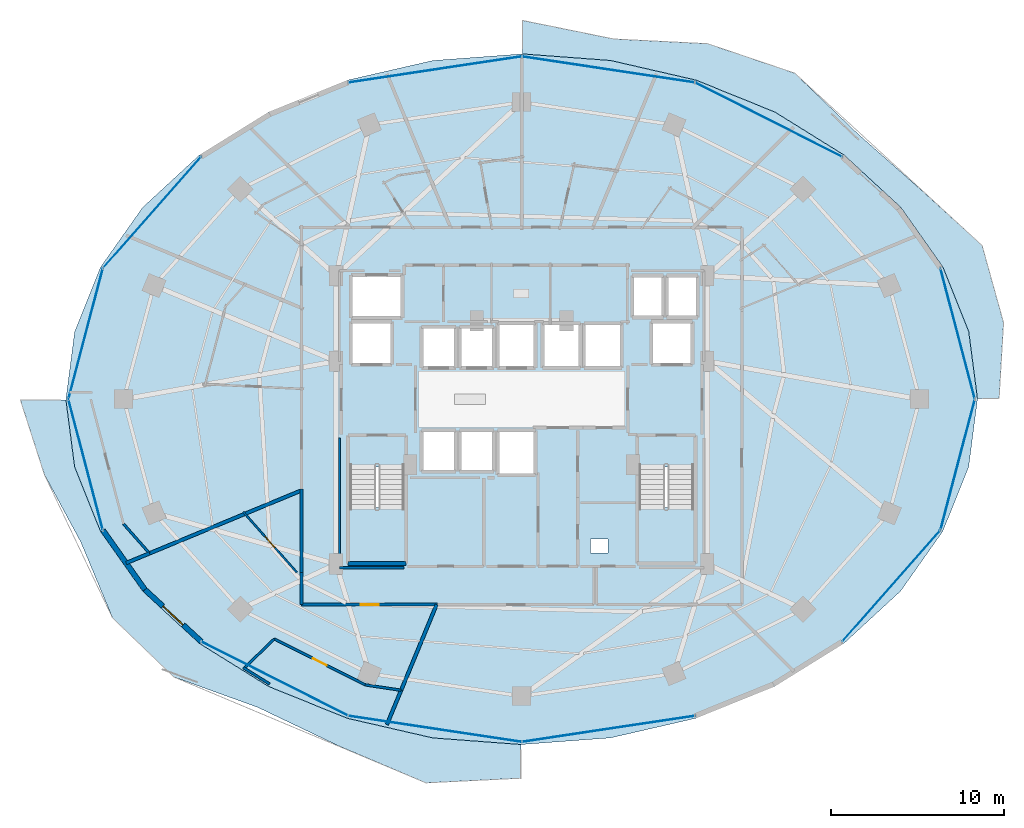
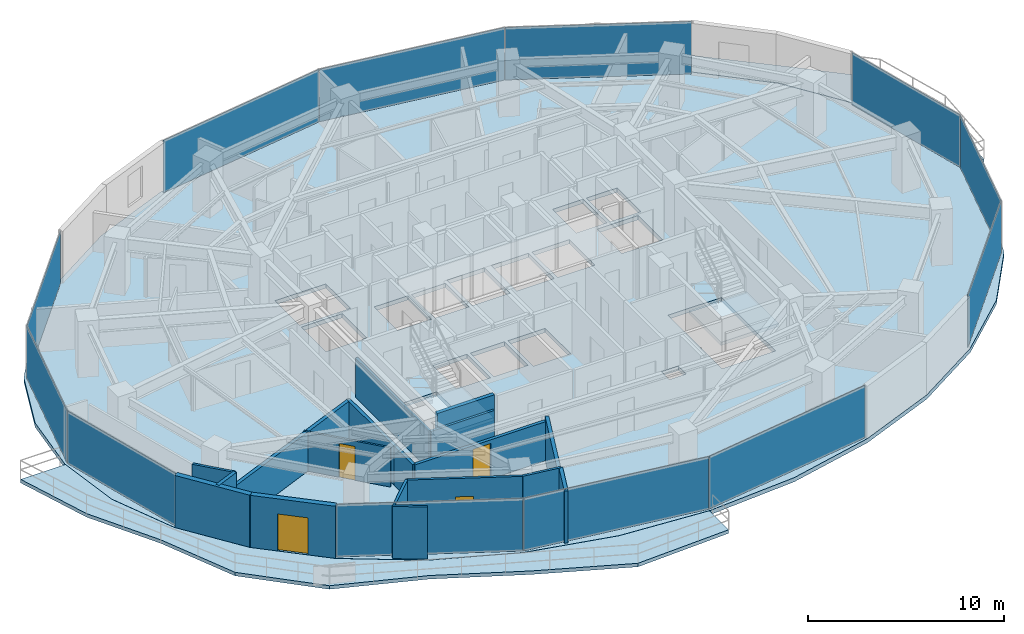
# One storey, part 22 of 30: 18 walls, 12 plates, 5 slabs, 4 doors, 4 openings, 6 elements without a shape of their own.
"""IFC4 building model written with IfcOpenShell, lengths in metres."""

from ifc_helpers import new_model, si_unit, direction, frame, frame_2d, origin, origin_2d, place, context, subcontext, project, spatial, polyline, rectangle, outline, extrude, material, layer, layer_set, type_object, element, fill, aggregate, save


model = new_model("IFC4")

# Units and contexts
model_context = context("Model", 3, precision=1e-05, world=origin(), true_north=direction((0.0, 1.0)))
body_context = subcontext(model_context, "Body", "Model", "MODEL_VIEW")
ifc_project = project(units=[si_unit("LENGTHUNIT", "METRE"), si_unit("AREAUNIT", "SQUARE_METRE"), si_unit("VOLUMEUNIT", "CUBIC_METRE"), si_unit("PLANEANGLEUNIT", "RADIAN"), si_unit("MASSUNIT", "GRAM", prefix="KILO")], contexts=[model_context])

# Site, building, storey
site_placement = place(None, origin())
site = spatial("IfcSite", under=ifc_project, at=site_placement, CompositionType="ELEMENT")
building_placement = place(site_placement, origin())
building = spatial("IfcBuilding", under=site, at=building_placement, Name="Vorneva Point Tower", CompositionType="ELEMENT")
storey_placement = place(building_placement, frame((0.0, 0.0, 106.800048828125)))
storey = spatial("IfcBuildingStorey", under=building, at=storey_placement, Name="L28", CompositionType="ELEMENT", Elevation=106.800048828125)

# Curtain wall, plates
ifc_material_1 = material(Name="Pale anodised aluminium", Category="aluminium")
curtain_wall_type = type_object("IfcCurtainWallType", Name="CW-HTL-SYS", PredefinedType="NOTDEFINED", material=ifc_material_1)
curtain_wall_1_placement = place(storey_placement, origin())
curtain_wall_1 = element("IfcCurtainWall", 1, at=curtain_wall_1_placement, inside=storey, type_object=curtain_wall_type, Name="L28 Unitised Curtain Wall CW-L28-R01", PredefinedType="NOTDEFINED")
ifc_material_2 = material(Name="Double low-e laminated glass IGU", Category="glass")
ifc_layer_1 = layer(ifc_material_2, 0.035888671875)
ifc_layer_set_1 = layer_set([ifc_layer_1], Name="Double low-e laminated glass IGU")
plate_type = type_object("IfcPlateType", Name="CW-PNL-VIS", PredefinedType="CURTAIN_PANEL", material=ifc_layer_set_1)
plate_1_placement = place(storey_placement, frame((59.40673828125, 15.183837890625, -0.02001953125), z_axis=(0.0, 0.0, 1.0), x_axis=(0.662149334693, 0.749371909379, 0.0)))
plate_1 = element("IfcPlate", 2, at=plate_1_placement, type_object=plate_type, Name="CW-L28-R01 Glazed Panel 01", PredefinedType="CURTAIN_PANEL", context=body_context, shape_type="SweptSolid", body=[
    extrude(rectangle(XDim=8.543701171875, YDim=0.035888671875, at=origin_2d()), origin(), (0.0, 0.0, 1.0), 3.280029296875),
])
plate_2_placement = place(storey_placement, frame((63.2509765625, 22.201904296875, -0.02001953125), z_axis=(0.0, 0.0, 1.0), x_axis=(0.254399404995, 0.967099241411, 0.0)))
plate_2 = element("IfcPlate", 3, at=plate_2_placement, type_object=plate_type, Name="CW-L28-R01 Glazed Panel 02", PredefinedType="CURTAIN_PANEL", context=body_context, shape_type="SweptSolid", body=[
    extrude(rectangle(XDim=7.8046875, YDim=0.035888671875, at=origin_2d()), origin(), (0.0, 0.0, 1.0), 3.280029296875),
])
plate_3_placement = place(storey_placement, frame((63.2509765625, 29.798095703125, -0.02001953125), z_axis=(0.0, 0.0, 1.0), x_axis=(-0.254399404995, 0.967099241411, 0.0)))
plate_3 = element("IfcPlate", 4, at=plate_3_placement, type_object=plate_type, Name="CW-L28-R01 Glazed Panel 03", PredefinedType="CURTAIN_PANEL", context=body_context, shape_type="SweptSolid", body=[
    extrude(rectangle(XDim=7.8046875, YDim=0.035888671875, at=origin_2d()), origin(), (0.0, 0.0, 1.0), 3.280029296875),
])
aggregate(curtain_wall_1, [plate_1, plate_2, plate_3])

curtain_wall_2_placement = place(storey_placement, origin())
curtain_wall_2 = element("IfcCurtainWall", 5, at=curtain_wall_2_placement, inside=storey, type_object=curtain_wall_type, Name="L28 Unitised Curtain Wall CW-L28-R02", PredefinedType="NOTDEFINED")
plate_4_placement = place(storey_placement, frame((52.303466796875, 42.1875, -0.02001953125), z_axis=(0.0, 0.0, 1.0), x_axis=(-0.892538597772, 0.450971009585, 0.0)))
plate_4 = element("IfcPlate", 6, at=plate_4_placement, type_object=plate_type, Name="CW-L28-R02 Glazed Panel 01", PredefinedType="CURTAIN_PANEL", context=body_context, shape_type="SweptSolid", body=[
    extrude(rectangle(XDim=9.491455078125, YDim=0.035888671875, at=origin_2d()), origin(), (0.0, 0.0, 1.0), 3.280029296875),
])
plate_5_placement = place(storey_placement, frame((43.022705078125, 45.094482421875, -0.02001953125), z_axis=(0.0, 0.0, 1.0), x_axis=(-0.988876117041, 0.148741470836, 0.0)))
plate_5 = element("IfcPlate", 7, at=plate_5_placement, type_object=plate_type, Name="CW-L28-R02 Glazed Panel 02", PredefinedType="CURTAIN_PANEL", context=body_context, shape_type="SweptSolid", body=[
    extrude(rectangle(XDim=10.1083984375, YDim=0.035888671875, at=origin_2d()), origin(), (0.0, 0.0, 1.0), 3.280029296875),
])
plate_6_placement = place(storey_placement, frame((32.977294921875, 45.094482421875, -0.02001953125), z_axis=(0.0, 0.0, 1.0), x_axis=(-0.988876117041, -0.148741470836, 0.0)))
plate_6 = element("IfcPlate", 8, at=plate_6_placement, type_object=plate_type, Name="CW-L28-R02 Glazed Panel 03", PredefinedType="CURTAIN_PANEL", context=body_context, shape_type="SweptSolid", body=[
    extrude(rectangle(XDim=10.1083984375, YDim=0.035888671875, at=origin_2d()), origin(), (0.0, 0.0, 1.0), 3.280029296875),
])
aggregate(curtain_wall_2, [plate_4, plate_5, plate_6])

curtain_wall_3_placement = place(storey_placement, origin())
curtain_wall_3 = element("IfcCurtainWall", 9, at=curtain_wall_3_placement, inside=storey, type_object=curtain_wall_type, Name="L28 Unitised Curtain Wall CW-L28-R03", PredefinedType="NOTDEFINED")
plate_7_placement = place(storey_placement, frame((16.59326171875, 36.816162109375, -0.02001953125), z_axis=(0.0, 0.0, 1.0), x_axis=(-0.662149334693, -0.749371909379, 0.0)))
plate_7 = element("IfcPlate", 10, at=plate_7_placement, type_object=plate_type, Name="CW-L28-R03 Glazed Panel 01", PredefinedType="CURTAIN_PANEL", context=body_context, shape_type="SweptSolid", body=[
    extrude(rectangle(XDim=8.543701171875, YDim=0.035888671875, at=origin_2d()), origin(), (0.0, 0.0, 1.0), 3.280029296875),
])
plate_8_placement = place(storey_placement, frame((12.7490234375, 29.798095703125, -0.02001953125), z_axis=(0.0, 0.0, 1.0), x_axis=(-0.254399404995, -0.967099241411, 0.0)))
plate_8 = element("IfcPlate", 11, at=plate_8_placement, type_object=plate_type, Name="CW-L28-R03 Glazed Panel 02", PredefinedType="CURTAIN_PANEL", context=body_context, shape_type="SweptSolid", body=[
    extrude(rectangle(XDim=7.8046875, YDim=0.035888671875, at=origin_2d()), origin(), (0.0, 0.0, 1.0), 3.280029296875),
])
plate_9_placement = place(storey_placement, frame((12.7490234375, 22.201904296875, -0.02001953125), z_axis=(0.0, 0.0, 1.0), x_axis=(0.254399404995, -0.967099241411, 0.0)))
plate_9 = element("IfcPlate", 12, at=plate_9_placement, type_object=plate_type, Name="CW-L28-R03 Glazed Panel 03", PredefinedType="CURTAIN_PANEL", context=body_context, shape_type="SweptSolid", body=[
    extrude(rectangle(XDim=7.8046875, YDim=0.035888671875, at=origin_2d()), origin(), (0.0, 0.0, 1.0), 3.280029296875),
])
aggregate(curtain_wall_3, [plate_7, plate_8, plate_9])

curtain_wall_4_placement = place(storey_placement, origin())
curtain_wall_4 = element("IfcCurtainWall", 13, at=curtain_wall_4_placement, inside=storey, type_object=curtain_wall_type, Name="L28 Unitised Curtain Wall CW-L28-R04", PredefinedType="NOTDEFINED")
plate_10_placement = place(storey_placement, frame((23.696533203125, 9.8125, -0.02001953125), z_axis=(0.0, 0.0, 1.0), x_axis=(0.892538597772, -0.450971009585, 0.0)))
plate_10 = element("IfcPlate", 14, at=plate_10_placement, type_object=plate_type, Name="CW-L28-R04 Glazed Panel 01", PredefinedType="CURTAIN_PANEL", context=body_context, shape_type="SweptSolid", body=[
    extrude(rectangle(XDim=9.491455078125, YDim=0.035888671875, at=origin_2d()), origin(), (0.0, 0.0, 1.0), 3.280029296875),
])
plate_11_placement = place(storey_placement, frame((32.977294921875, 6.905517578125, -0.02001953125), z_axis=(0.0, 0.0, 1.0), x_axis=(0.988876117041, -0.148741470836, 0.0)))
plate_11 = element("IfcPlate", 15, at=plate_11_placement, type_object=plate_type, Name="CW-L28-R04 Glazed Panel 02", PredefinedType="CURTAIN_PANEL", context=body_context, shape_type="SweptSolid", body=[
    extrude(rectangle(XDim=10.1083984375, YDim=0.035888671875, at=origin_2d()), origin(), (0.0, 0.0, 1.0), 3.280029296875),
])
plate_12_placement = place(storey_placement, frame((43.022705078125, 6.905517578125, -0.02001953125), z_axis=(0.0, 0.0, 1.0), x_axis=(0.988876117041, 0.148741470836, 0.0)))
plate_12 = element("IfcPlate", 16, at=plate_12_placement, type_object=plate_type, Name="CW-L28-R04 Glazed Panel 03", PredefinedType="CURTAIN_PANEL", context=body_context, shape_type="SweptSolid", body=[
    extrude(rectangle(XDim=10.1083984375, YDim=0.035888671875, at=origin_2d()), origin(), (0.0, 0.0, 1.0), 3.280029296875),
])
aggregate(curtain_wall_4, [plate_10, plate_11, plate_12])

# Slabs
ifc_material_3 = material(Name="Concrete B50 (C40/50)", Category="concrete")
ifc_layer_2 = layer(ifc_material_3, 0.219970703125)
ifc_layer_set_2 = layer_set([ifc_layer_2], Name="Concrete B50 (C40/50)")
slab_type_1 = type_object("IfcSlabType", Name="SLB-BAL-220", PredefinedType="FLOOR", material=ifc_layer_set_2)
slab_1_placement = place(storey_placement, frame((0.0, 0.0, -0.219970703125)))
element("IfcSlab", 17, at=slab_1_placement, inside=storey, type_object=slab_type_1, Name="L28 Cantilevered Wave Balcony NE", PredefinedType="FLOOR", context=body_context, shape_type="SweptSolid", body=[
    extrude(outline(polyline([(38.050048828125, 47.939697265625), (38.050048828125, 46.000244140625), (43.150634765625, 45.61962890625), (43.15087890625, 45.61962890625), (43.1513671875, 45.61962890625), (48.103759765625, 44.4814453125), (48.10400390625, 44.4814453125), (48.104248046875, 44.481201171875), (52.668701171875, 42.633056640625), (52.6689453125, 42.633056640625), (52.669189453125, 42.6328125), (56.669677734375, 40.1455078125), (56.669921875, 40.145263671875), (56.67041015625, 40.14501953125), (59.95361328125, 37.1142578125), (59.953857421875, 37.114013671875), (59.9541015625, 37.11376953125), (62.393798828125, 33.656005859375), (62.393798828125, 33.655517578125), (62.39404296875, 33.6552734375), (63.896484375, 29.9033203125), (63.896484375, 29.903076171875), (63.896484375, 29.902587890625), (63.896728515625, 29.90234375), (64.3974609375, 26.050048828125), (65.65283203125, 26.050048828125), (65.910888671875, 30.431640625), (64.668701171875, 34.8994140625), (61.12158203125, 38.14404296875), (57.546142578125, 41.302001953125), (53.810546875, 44.888427734375), (48.766845703125, 46.59375), (43.338623046875, 46.864990234375), (38.050048828125, 47.939697265625)])), origin(), (0.0, 0.0, 1.0), 0.219970703125),
])
slab_2_placement = place(storey_placement, frame((0.0, 0.0, -0.219970703125)))
element("IfcSlab", 18, at=slab_2_placement, inside=storey, type_object=slab_type_1, Name="L28 Cantilevered Wave Balcony SW", PredefinedType="FLOOR", context=body_context, shape_type="SweptSolid", body=[
    extrude(outline(polyline([(37.949951171875, 4.047607421875), (37.949951171875, 5.999755859375), (32.849365234375, 6.38037109375), (32.84912109375, 6.38037109375), (32.8486328125, 6.38037109375), (27.896240234375, 7.5185546875), (27.89599609375, 7.5185546875), (27.895751953125, 7.518798828125), (23.331298828125, 9.366943359375), (23.3310546875, 9.366943359375), (23.330810546875, 9.3671875), (19.330322265625, 11.8544921875), (19.330078125, 11.854736328125), (19.32958984375, 11.85498046875), (16.04638671875, 14.8857421875), (16.046142578125, 14.885986328125), (16.0458984375, 14.88623046875), (13.606201171875, 18.343994140625), (13.606201171875, 18.344482421875), (13.60595703125, 18.3447265625), (12.103515625, 22.0966796875), (12.103515625, 22.096923828125), (12.103515625, 22.097412109375), (12.103271484375, 22.09765625), (11.6025390625, 25.949951171875), (8.966064453125, 25.949951171875), (10.353271484375, 21.6376953125), (12.466064453125, 17.72119140625), (14.295166015625, 13.341552734375), (17.85595703125, 9.908935546875), (22.715087890625, 8.150146484375), (27.3935546875, 5.91748046875), (32.456787109375, 3.777099609375), (37.949951171875, 4.047607421875)])), origin(), (0.0, 0.0, 1.0), 0.219970703125),
])

# Stair, slab
stair_type = type_object("IfcStairType", Name="ST-DOG-1500", PredefinedType="HALF_TURN_STAIR", material=ifc_material_3)
stair_1_placement = place(storey_placement, origin())
stair_1 = element("IfcStair", 19, at=stair_1_placement, inside=storey, type_object=stair_type, Name="L28 ST1", PredefinedType="HALF_TURN_STAIR")
ifc_layer_3 = layer(ifc_material_3, 0.199951171875)
ifc_layer_set_3 = layer_set([ifc_layer_3], Name="Concrete B50 (C40/50)")
slab_type_2 = type_object("IfcSlabType", Name="SLB-LND-200", PredefinedType="LANDING", material=ifc_layer_set_3)
slab_3_placement = place(storey_placement, frame((0.0, 0.0, 1.550048828125)))
slab_3 = element("IfcSlab", 20, at=slab_3_placement, type_object=slab_type_2, Name="ST1 landing 1", PredefinedType="LANDING", context=body_context, shape_type="SweptSolid", body=[
    extrude(outline(polyline([(27.929931640625, 16.47998046875), (31.320068359375, 16.47998046875), (31.320068359375, 19.72998046875), (27.929931640625, 19.72998046875), (27.929931640625, 16.47998046875)])), origin(), (0.0, 0.0, 1.0), 0.199951171875),
])
aggregate(stair_1, [slab_3])

stair_2_placement = place(storey_placement, origin())
stair_2 = element("IfcStair", 21, at=stair_2_placement, inside=storey, type_object=stair_type, Name="L28 ST2", PredefinedType="HALF_TURN_STAIR")
slab_4_placement = place(storey_placement, frame((0.0, 0.0, 1.550048828125)))
slab_4 = element("IfcSlab", 22, at=slab_4_placement, type_object=slab_type_2, Name="ST2 landing 1", PredefinedType="LANDING", context=body_context, shape_type="SweptSolid", body=[
    extrude(outline(polyline([(44.679931640625, 16.47998046875), (48.070068359375, 16.47998046875), (48.070068359375, 19.72998046875), (44.679931640625, 19.72998046875), (44.679931640625, 16.47998046875)])), origin(), (0.0, 0.0, 1.0), 0.199951171875),
])
aggregate(stair_2, [slab_4])

# Slab
ifc_layer_4 = layer(ifc_material_3, 0.260009765625)
ifc_layer_set_4 = layer_set([ifc_layer_4], Name="Concrete B50 (C40/50)")
slab_type_3 = type_object("IfcSlabType", Name="SLB-TYP-260", PredefinedType="FLOOR", material=ifc_layer_set_4)
slab_5_placement = place(storey_placement, frame((0.0, 0.0, -0.260009765625)))
element("IfcSlab", 23, at=slab_5_placement, inside=storey, type_object=slab_type_3, Name="L28 Structural Floor Plate", PredefinedType="FLOOR", context=body_context, shape_type="SweptSolid", body=[
    extrude(outline(polyline([(64.39990234375, 26.0), (63.892578125, 29.90185546875), (62.390380859375, 33.65380859375), (59.95068359375, 37.111328125), (56.66748046875, 40.14208984375), (52.6669921875, 42.62939453125), (48.102783203125, 44.4775390625), (43.150390625, 45.61572265625), (38.0, 46.0), (32.849609375, 45.61572265625), (27.897216796875, 44.4775390625), (23.3330078125, 42.62939453125), (19.33251953125, 40.14208984375), (16.04931640625, 37.111328125), (13.609619140625, 33.65380859375), (12.107421875, 29.90185546875), (11.60009765625, 26.0), (12.107421875, 22.09814453125), (13.609619140625, 18.34619140625), (16.04931640625, 14.888671875), (19.33251953125, 11.85791015625), (23.3330078125, 9.37060546875), (27.897216796875, 7.5224609375), (32.849609375, 6.38427734375), (38.0, 6.0), (43.150390625, 6.38427734375), (48.102783203125, 7.5224609375), (52.6669921875, 9.37060546875), (56.66748046875, 11.85791015625), (59.95068359375, 14.888671875), (62.390380859375, 18.34619140625), (63.892578125, 22.09814453125), (64.39990234375, 26.0)]), holes=[polyline([(32.199951171875, 27.800048828125), (34.199951171875, 27.800048828125), (34.199951171875, 30.199951171875), (32.199951171875, 30.199951171875), (32.199951171875, 27.800048828125)]), polyline([(34.39990234375, 27.800048828125), (36.39990234375, 27.800048828125), (36.39990234375, 30.199951171875), (34.39990234375, 30.199951171875), (34.39990234375, 27.800048828125)]), polyline([(36.60009765625, 27.800048828125), (38.800048828125, 27.800048828125), (38.800048828125, 30.39990234375), (36.60009765625, 30.39990234375), (36.60009765625, 27.800048828125)]), polyline([(32.199951171875, 21.800048828125), (34.199951171875, 21.800048828125), (34.199951171875, 24.199951171875), (32.199951171875, 24.199951171875), (32.199951171875, 21.800048828125)]), polyline([(34.39990234375, 21.800048828125), (36.39990234375, 21.800048828125), (36.39990234375, 24.199951171875), (34.39990234375, 24.199951171875), (34.39990234375, 21.800048828125)]), polyline([(36.60009765625, 21.60009765625), (38.800048828125, 21.60009765625), (38.800048828125, 24.199951171875), (36.60009765625, 24.199951171875), (36.60009765625, 21.60009765625)]), polyline([(39.199951171875, 27.800048828125), (41.39990234375, 27.800048828125), (41.39990234375, 30.39990234375), (39.199951171875, 30.39990234375), (39.199951171875, 27.800048828125)]), polyline([(41.60009765625, 27.800048828125), (43.800048828125, 27.800048828125), (43.800048828125, 30.39990234375), (41.60009765625, 30.39990234375), (41.60009765625, 27.800048828125)]), polyline([(44.39990234375, 30.739990234375), (46.199951171875, 30.739990234375), (46.199951171875, 33.159912109375), (44.39990234375, 33.159912109375), (44.39990234375, 30.739990234375)]), polyline([(46.39990234375, 30.739990234375), (48.199951171875, 30.739990234375), (48.199951171875, 33.159912109375), (46.39990234375, 33.159912109375), (46.39990234375, 30.739990234375)]), polyline([(28.10009765625, 28.0), (30.5, 28.0), (30.5, 30.5), (28.10009765625, 30.5), (28.10009765625, 28.0)]), polyline([(45.5, 28.0), (47.89990234375, 28.0), (47.89990234375, 30.5), (45.5, 30.5), (45.5, 28.0)]), polyline([(28.10009765625, 30.699951171875), (31.10009765625, 30.699951171875), (31.10009765625, 33.199951171875), (28.10009765625, 33.199951171875), (28.10009765625, 30.699951171875)]), polyline([(28.050048828125, 16.60009765625), (31.199951171875, 16.60009765625), (31.199951171875, 22.080078125), (28.050048828125, 22.080078125), (28.050048828125, 16.60009765625)]), polyline([(44.800048828125, 16.60009765625), (47.949951171875, 16.60009765625), (47.949951171875, 22.080078125), (44.800048828125, 22.080078125), (44.800048828125, 16.60009765625)]), polyline([(42.0, 17.10009765625), (43.0, 17.10009765625), (43.0, 17.89990234375), (42.0, 17.89990234375), (42.0, 17.10009765625)])]), origin(), (0.0, 0.0, 1.0), 0.260009765625),
])

# Wall
ifc_material_4 = material(Name="Precast concrete B50 (C40/50)", Category="concrete")
ifc_layer_5 = layer(ifc_material_4, 0.300048828125)
ifc_layer_set_5 = layer_set([ifc_layer_5], Name="Precast concrete B50 (C40/50)")
wall_type_1 = type_object("IfcWallType", Name="WL-EXT-300", PredefinedType="STANDARD", material=ifc_layer_set_5)
wall_1_placement = place(storey_placement, frame((13.748291015625, 18.40380859375, 0.0), z_axis=(0.0, 0.0, 1.0), x_axis=(0.57716435238, -0.81662801222, 0.0)))
element("IfcWall", 24, at=wall_1_placement, inside=storey, type_object=wall_type_1, Name="L28 Pale-Metal Facade Spandrel Wall 10.1", PredefinedType="STANDARD", context=body_context, shape_type="SweptSolid", body=[
    extrude(rectangle(XDim=4.202392578125, YDim=0.300048828125, at=frame_2d((2.10107421875, 0.0))), origin(), (0.0, 0.0, 1.0), 3.239990234375),
])

# Wall, opening, door
wall_2_placement = place(storey_placement, frame((16.173828125, 14.971923828125, 0.0), z_axis=(0.0, 0.0, 1.0), x_axis=(0.735416718093, -0.677615119924, 0.0)))
wall_2 = element("IfcWall", 25, at=wall_2_placement, inside=storey, type_object=wall_type_1, Name="L28 Pale-Metal Facade Spandrel Wall 10.2", PredefinedType="STANDARD", context=body_context, shape_type="SweptSolid", body=[
    extrude(rectangle(XDim=4.439208984375, YDim=0.300048828125, at=frame_2d((2.2197265625, 0.0))), origin(), (0.0, 0.0, 1.0), 3.239990234375),
])
opening_1_placement = place(wall_2_placement, frame((1.41943359375, 0.0, 0.0)))
opening_1 = element("IfcOpeningElement", 26, at=opening_1_placement, cuts=wall_2, Name="Opening BD-01", PredefinedType="OPENING", context=body_context, shape_type="SweptSolid", body=[
    extrude(rectangle(XDim=1.60009765625, YDim=2.300048828125, at=frame_2d((0.800048828125, 1.14990234375))), frame((0.0, 0.1650390625, 0.0), z_axis=(0.0, -1.0, 0.0), x_axis=(1.0, 0.0, 0.0)), (0.0, 0.0, 1.0), 0.329833984375),
])
door_type_1 = type_object("IfcDoorType", Name="DR-BAL-1600", OperationType="SLIDING_TO_LEFT", PredefinedType="DOOR", material=ifc_material_1)
door_1_placement = place(opening_1_placement, origin())
door_1 = element("IfcDoor", 27, at=door_1_placement, inside=storey, type_object=door_type_1, Name="L28 Balcony Terrace Access Door 10", OperationType="SLIDING_TO_LEFT", OverallHeight=2.300048828125, OverallWidth=1.60009765625, PredefinedType="DOOR", context=body_context, shape_type="SweptSolid", body=[
    extrude(rectangle(XDim=1.60009765625, YDim=2.300048828125, at=frame_2d((0.800048828125, 1.14990234375))), frame((0.0, 0.02490234375, 0.0), z_axis=(0.0, -1.0, 0.0), x_axis=(1.0, 0.0, 0.0)), (0.0, 0.0, 1.0), 0.050048828125),
])
fill(opening_1, door_1)

ifc_material_5 = material(Name="Fire-rated acoustic gypsum stud partition", Category="gypsum")
ifc_layer_6 = layer(ifc_material_5, 0.110107421875)
ifc_layer_set_6 = layer_set([ifc_layer_6], Name="Fire-rated acoustic gypsum stud partition")
wall_type_2 = type_object("IfcWallType", Name="WL-PART-110", PredefinedType="PARTITIONING", material=ifc_layer_set_6)
wall_3_placement = place(storey_placement, frame((24.96875, 15.97021484375, 0.0), z_axis=(0.0, 0.0, 1.0), x_axis=(-0.662106207726, 0.749410014405, 0.0)))
wall_3 = element("IfcWall", 28, at=wall_3_placement, inside=storey, type_object=wall_type_2, Name="L28 Interior Partition 085", PredefinedType="PARTITIONING", context=body_context, shape_type="SweptSolid", body=[
    extrude(rectangle(XDim=4.66455078125, YDim=0.110107421875, at=frame_2d((2.332275390625, 0.0))), origin(), (0.0, 0.0, 1.0), 2.431884765625),
])
opening_2_placement = place(wall_3_placement, frame((1.9072265625, 0.0, 0.0)))
opening_2 = element("IfcOpeningElement", 29, at=opening_2_placement, cuts=wall_3, Name="Opening ID-02", PredefinedType="OPENING", context=body_context, shape_type="SweptSolid", body=[
    extrude(rectangle(XDim=0.85009765625, YDim=2.10009765625, at=frame_2d((0.425048828125, 1.050048828125))), frame((0.0, 0.06982421875, 0.0), z_axis=(0.0, -1.0, 0.0), x_axis=(1.0, 0.0, 0.0)), (0.0, 0.0, 1.0), 0.139892578125),
])
ifc_material_6 = material(Name="Engineered oak fire-rated door leaf", Category="wood")
door_type_2 = type_object("IfcDoorType", Name="DR-BATH-850", OperationType="NOTDEFINED", PredefinedType="DOOR", material=ifc_material_6)
door_2_placement = place(opening_2_placement, origin())
door_2 = element("IfcDoor", 30, at=door_2_placement, inside=storey, type_object=door_type_2, Name="L28 Door Corner Suite L28-08 / En-Suite Bathroom L28-08", OperationType="SINGLE_SWING_RIGHT", OverallHeight=2.10009765625, OverallWidth=0.85009765625, PredefinedType="DOOR", context=body_context, shape_type="SweptSolid", body=[
    extrude(rectangle(XDim=0.85009765625, YDim=2.10009765625, at=frame_2d((0.425048828125, 1.050048828125))), frame((0.0, 0.02490234375, 0.0), z_axis=(0.0, -1.0, 0.0), x_axis=(1.0, 0.0, 0.0)), (0.0, 0.0, 1.0), 0.050048828125),
])
fill(opening_2, door_2)

# Walls
ifc_layer_7 = layer(ifc_material_5, 0.139892578125)
ifc_layer_set_7 = layer_set([ifc_layer_7], Name="Fire-rated acoustic gypsum stud partition")
wall_type_3 = type_object("IfcWallType", Name="WL-PART-140", PredefinedType="PARTITIONING", material=ifc_layer_set_7)
wall_4_placement = place(storey_placement, frame((14.93994140625, 18.77587890625, 0.0), z_axis=(0.0, 0.0, 1.0), x_axis=(0.662288913482, -0.749248553605, 0.0)))
element("IfcWall", 31, at=wall_4_placement, inside=storey, type_object=wall_type_3, Name="L28 Interior Partition 082", PredefinedType="PARTITIONING", context=body_context, shape_type="SweptSolid", body=[
    extrude(rectangle(XDim=2.274169921875, YDim=0.139892578125, at=frame_2d((1.13720703125, 0.0))), origin(), (0.0, 0.0, 1.0), 3.239990234375),
])
wall_5_placement = place(storey_placement, frame((21.8740234375, 10.455078125, 0.0), z_axis=(0.0, 0.0, 1.0), x_axis=(0.849018711668, -0.528362779951, 0.0)))
element("IfcWall", 32, at=wall_5_placement, inside=storey, type_object=wall_type_3, Name="L28 Interior Partition 086", PredefinedType="PARTITIONING", context=body_context, shape_type="SweptSolid", body=[
    extrude(rectangle(XDim=1.79833984375, YDim=0.139892578125, at=frame_2d((0.899169921875, 0.0))), origin(), (0.0, 0.0, 1.0), 3.239990234375),
])
wall_6_placement = place(storey_placement, frame((21.925048828125, 10.423095703125, 0.0), z_axis=(0.0, 0.0, 1.0), x_axis=(0.718353026202, 0.695678754704, 0.0)))
element("IfcWall", 33, at=wall_6_placement, inside=storey, type_object=wall_type_3, Name="L28 Interior Partition 087", PredefinedType="PARTITIONING", context=body_context, shape_type="SweptSolid", body=[
    extrude(rectangle(XDim=2.433349609375, YDim=0.139892578125, at=frame_2d((1.216796875, 0.0))), origin(), (0.0, 0.0, 1.0), 3.239990234375),
])

# Wall, opening, door
wall_7_placement = place(storey_placement, frame((23.673095703125, 12.115966796875, 0.0), z_axis=(0.0, 0.0, 1.0), x_axis=(0.892490283816, -0.451066617357, 0.0)))
wall_7 = element("IfcWall", 34, at=wall_7_placement, inside=storey, type_object=wall_type_3, Name="L28 Interior Partition 088", PredefinedType="PARTITIONING", context=body_context, shape_type="SweptSolid", body=[
    extrude(rectangle(XDim=5.899169921875, YDim=0.139892578125, at=frame_2d((2.94970703125, 0.0))), origin(), (0.0, 0.0, 1.0), 3.239990234375),
])
opening_3_placement = place(wall_7_placement, frame((2.49951171875, 0.0, 0.0)))
opening_3 = element("IfcOpeningElement", 35, at=opening_3_placement, cuts=wall_7, Name="Opening ID-01", PredefinedType="OPENING", context=body_context, shape_type="SweptSolid", body=[
    extrude(rectangle(XDim=0.89990234375, YDim=2.10009765625, at=frame_2d((0.449951171875, 1.050048828125))), frame((0.0, 0.0849609375, 0.0), z_axis=(0.0, -1.0, 0.0), x_axis=(1.0, 0.0, 0.0)), (0.0, 0.0, 1.0), 0.169677734375),
])
door_type_3 = type_object("IfcDoorType", Name="DR-ROOM-900", OperationType="NOTDEFINED", PredefinedType="DOOR", material=ifc_material_6)
door_3_placement = place(opening_3_placement, origin())
door_3 = element("IfcDoor", 36, at=door_3_placement, inside=storey, type_object=door_type_3, Name="L28 Door Corner Suite L28-08 / Suite Sitting Study L28-08", OperationType="SINGLE_SWING_LEFT", OverallHeight=2.10009765625, OverallWidth=0.89990234375, PredefinedType="DOOR", context=body_context, shape_type="SweptSolid", body=[
    extrude(rectangle(XDim=0.89990234375, YDim=2.10009765625, at=frame_2d((0.449951171875, 1.050048828125))), frame((0.0, 0.02490234375, 0.0), z_axis=(0.0, -1.0, 0.0), x_axis=(1.0, 0.0, 0.0)), (0.0, 0.0, 1.0), 0.050048828125),
])
fill(opening_3, door_3)

# Walls
wall_8_placement = place(storey_placement, frame((28.93798828125, 9.455078125, 0.0), z_axis=(0.0, 0.0, 1.0), x_axis=(0.988868142427, -0.148794478708, 0.0)))
element("IfcWall", 37, at=wall_8_placement, inside=storey, type_object=wall_type_3, Name="L28 Interior Partition 089", PredefinedType="PARTITIONING", context=body_context, shape_type="SweptSolid", body=[
    extrude(rectangle(XDim=2.103515625, YDim=0.139892578125, at=frame_2d((1.0517578125, 0.0))), origin(), (0.0, 0.0, 1.0), 3.239990234375),
])
wall_9_placement = place(storey_placement, frame((31.195068359375, 16.239990234375, 0.0), z_axis=(0.0, 0.0, 1.0), x_axis=(-1.0, 0.0, 0.0)))
element("IfcWall", 38, at=wall_9_placement, inside=storey, type_object=wall_type_3, Name="L28 Interior Closure Partition 107", PredefinedType="PARTITIONING", context=body_context, shape_type="SweptSolid", body=[
    extrude(rectangle(XDim=3.7451171875, YDim=0.139892578125, at=frame_2d((1.87255859375, 0.0))), origin(), (0.0, 0.0, 1.0), 2.431884765625),
])
wall_10_placement = place(storey_placement, frame((27.449951171875, 16.239990234375, 0.0), z_axis=(0.0, 0.0, 1.0), x_axis=(0.0, 1.0, 0.0)))
element("IfcWall", 39, at=wall_10_placement, inside=storey, type_object=wall_type_3, Name="L28 Interior Closure Partition 108", PredefinedType="PARTITIONING", context=body_context, shape_type="SweptSolid", body=[
    extrude(rectangle(XDim=7.513916015625, YDim=0.139892578125, at=frame_2d((3.7568359375, 0.0))), origin(), (0.0, 0.0, 1.0), 2.431884765625),
])
ifc_material_7 = material(Name="Autoclaved aerated concrete blockwork", Category="masonry")
ifc_layer_8 = layer(ifc_material_7, 0.179931640625)
ifc_layer_set_8 = layer_set([ifc_layer_8], Name="Autoclaved aerated concrete blockwork")
wall_type_4 = type_object("IfcWallType", Name="WL-PART-180", PredefinedType="PARTITIONING", material=ifc_layer_set_8)
wall_11_placement = place(storey_placement, frame((25.25, 15.952880859375, 0.0), z_axis=(0.0, 0.0, 1.0), x_axis=(0.0, -1.0, 0.0)))
element("IfcWall", 40, at=wall_11_placement, inside=storey, type_object=wall_type_4, Name="L28 Interior Partition 042", PredefinedType="PARTITIONING", context=body_context, shape_type="SweptSolid", body=[
    extrude(rectangle(XDim=1.852783203125, YDim=0.179931640625, at=frame_2d((0.92626953125, 0.0))), origin(), (0.0, 0.0, 1.0), 2.431884765625),
])

# Wall, opening, door
wall_12_placement = place(storey_placement, frame((25.25, 14.10009765625, 0.0), z_axis=(0.0, 0.0, 1.0), x_axis=(1.0, 0.0, 0.0)))
wall_12 = element("IfcWall", 41, at=wall_12_placement, inside=storey, type_object=wall_type_4, Name="L28 Interior Partition 043", PredefinedType="PARTITIONING", context=body_context, shape_type="SweptSolid", body=[
    extrude(rectangle(XDim=7.881103515625, YDim=0.179931640625, at=frame_2d((3.9404296875, 0.0))), origin(), (0.0, 0.0, 1.0), 2.431884765625),
])
opening_4_placement = place(wall_12_placement, frame((3.41552734375, 0.0, 0.0)))
opening_4 = element("IfcOpeningElement", 42, at=opening_4_placement, cuts=wall_12, Name="Opening UD-02", PredefinedType="OPENING", context=body_context, shape_type="SweptSolid", body=[
    extrude(rectangle(XDim=1.050048828125, YDim=2.199951171875, at=frame_2d((0.52490234375, 1.10009765625))), frame((0.0, 0.10498046875, 0.0), z_axis=(0.0, -1.0, 0.0), x_axis=(1.0, 0.0, 0.0)), (0.0, 0.0, 1.0), 0.209716796875),
])
door_type_4 = type_object("IfcDoorType", Name="DR-SUITE-1050", OperationType="NOTDEFINED", PredefinedType="DOOR", material=ifc_material_6)
door_4_placement = place(opening_4_placement, origin())
door_4 = element("IfcDoor", 43, at=door_4_placement, inside=storey, type_object=door_type_4, Name="L28 Door L28 Circulation Corridor / Corner Suite L28-08", OperationType="SINGLE_SWING_RIGHT", OverallHeight=2.199951171875, OverallWidth=1.050048828125, PredefinedType="DOOR", context=body_context, shape_type="SweptSolid", body=[
    extrude(rectangle(XDim=1.050048828125, YDim=2.199951171875, at=frame_2d((0.52490234375, 1.10009765625))), frame((0.0, 0.02490234375, 0.0), z_axis=(0.0, -1.0, 0.0), x_axis=(1.0, 0.0, 0.0)), (0.0, 0.0, 1.0), 0.050048828125),
])
fill(opening_4, door_4)

# Walls
wall_13_placement = place(storey_placement, frame((25.25, 20.7939453125, 0.0), z_axis=(0.0, 0.0, 1.0), x_axis=(0.0, -1.0, 0.0)))
element("IfcWall", 44, at=wall_13_placement, inside=storey, type_object=wall_type_4, Name="L28 Interior Partition 044", PredefinedType="PARTITIONING", context=body_context, shape_type="SweptSolid", body=[
    extrude(rectangle(XDim=4.98095703125, YDim=0.179931640625, at=frame_2d((2.490478515625, 0.0))), origin(), (0.0, 0.0, 1.0), 2.431884765625),
])
ifc_layer_9 = layer(ifc_material_7, 0.199951171875)
ifc_layer_set_9 = layer_set([ifc_layer_9], Name="Autoclaved aerated concrete blockwork")
wall_type_5 = type_object("IfcWallType", Name="WL-PART-200", PredefinedType="PARTITIONING", material=ifc_layer_set_9)
wall_14_placement = place(storey_placement, frame((16.446044921875, 17.072021484375, 0.0), z_axis=(0.0, 0.0, 1.0), x_axis=(0.92387006918, 0.382706278068, 0.0)))
element("IfcWall", 45, at=wall_14_placement, inside=storey, type_object=wall_type_5, Name="L28 Interior Partition 083", PredefinedType="PARTITIONING", context=body_context, shape_type="SweptSolid", body=[
    extrude(rectangle(XDim=9.529541015625, YDim=0.199951171875, at=frame_2d((4.7646484375, 0.0))), origin(), (0.0, 0.0, 1.0), 2.431884765625),
])
wall_15_placement = place(storey_placement, frame((15.089111328125, 16.510009765625, 0.0), z_axis=(0.0, 0.0, 1.0), x_axis=(0.923891226159, 0.382655200183, 0.0)))
element("IfcWall", 46, at=wall_15_placement, inside=storey, type_object=wall_type_5, Name="L28 Interior Partition 084", PredefinedType="PARTITIONING", context=body_context, shape_type="SweptSolid", body=[
    extrude(rectangle(XDim=1.46875, YDim=0.199951171875, at=frame_2d((0.734375, 0.0))), origin(), (0.0, 0.0, 1.0), 3.239990234375),
])
wall_16_placement = place(storey_placement, frame((31.01806640625, 9.14208984375, 0.0), z_axis=(0.0, 0.0, 1.0), x_axis=(0.382572793579, 0.923925352836, 0.0)))
element("IfcWall", 47, at=wall_16_placement, inside=storey, type_object=wall_type_5, Name="L28 Interior Partition 090", PredefinedType="PARTITIONING", context=body_context, shape_type="SweptSolid", body=[
    extrude(rectangle(XDim=5.3662109375, YDim=0.199951171875, at=frame_2d((2.68310546875, 0.0))), origin(), (0.0, 0.0, 1.0), 2.677001953125),
])
wall_17_placement = place(storey_placement, frame((30.19189453125, 7.14892578125, 0.0), z_axis=(0.0, 0.0, 1.0), x_axis=(0.382911401564, 0.923785071622, 0.0)))
element("IfcWall", 48, at=wall_17_placement, inside=storey, type_object=wall_type_5, Name="L28 Interior Partition 091", PredefinedType="PARTITIONING", context=body_context, shape_type="SweptSolid", body=[
    extrude(rectangle(XDim=2.15771484375, YDim=0.199951171875, at=frame_2d((1.078857421875, 0.0))), origin(), (0.0, 0.0, 1.0), 3.239990234375),
])
ifc_layer_10 = layer(ifc_material_3, 0.219970703125)
ifc_layer_set_10 = layer_set([ifc_layer_10], Name="Concrete B50 (C40/50)")
wall_type_6 = type_object("IfcWallType", Name="WL-SHFT-220", PredefinedType="SOLIDWALL", material=ifc_layer_set_10)
wall_18_placement = place(storey_placement, frame((31.31005859375, 16.489990234375, 0.0), z_axis=(0.0, 0.0, 1.0), x_axis=(-1.0, 0.0, 0.0)))
element("IfcWall", 49, at=wall_18_placement, inside=storey, type_object=wall_type_6, Name="L28 Exit Stair ST1 Shaft Wall far", PredefinedType="SOLIDWALL", context=body_context, shape_type="SweptSolid", body=[
    extrude(rectangle(XDim=3.3701171875, YDim=0.219970703125, at=frame_2d((1.68505859375, 0.0))), origin(), (0.0, 0.0, 1.0), 3.239990234375),
])

save(model, "model.ifc")
